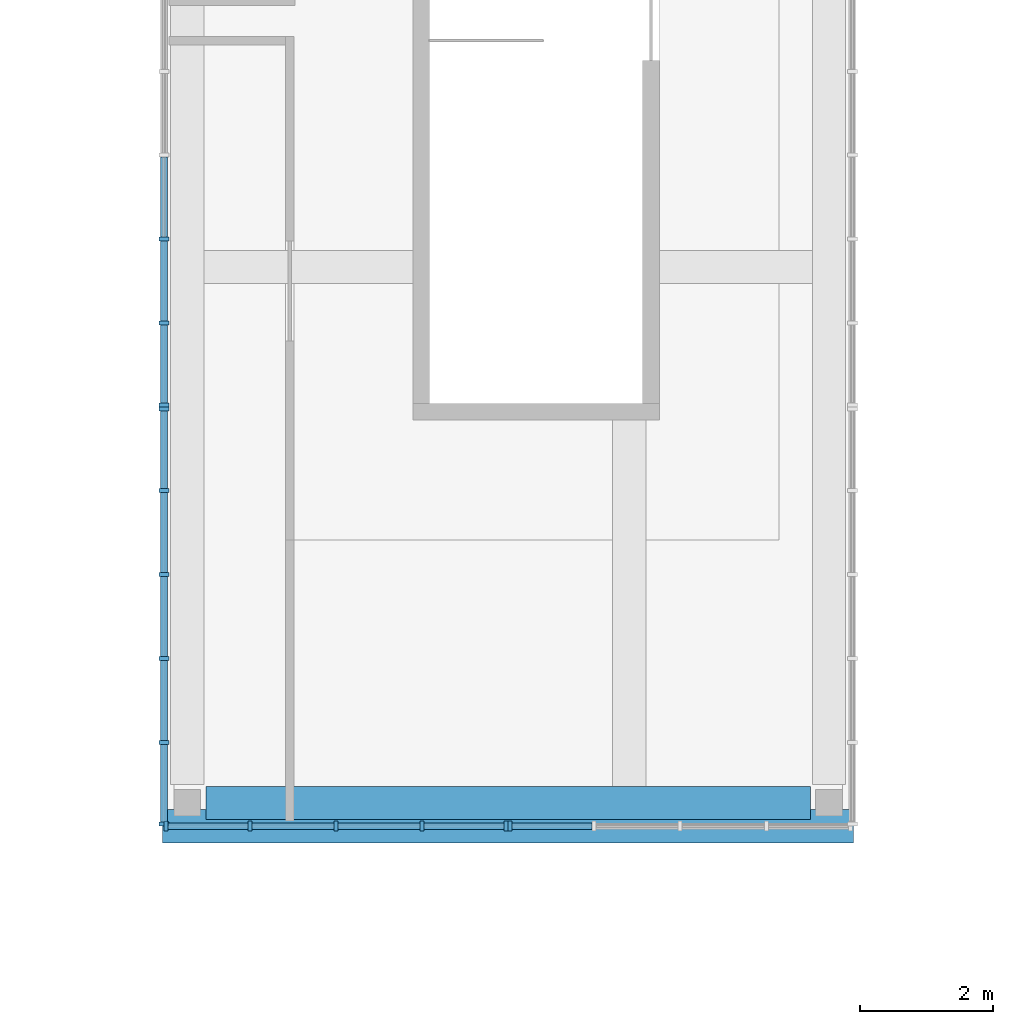
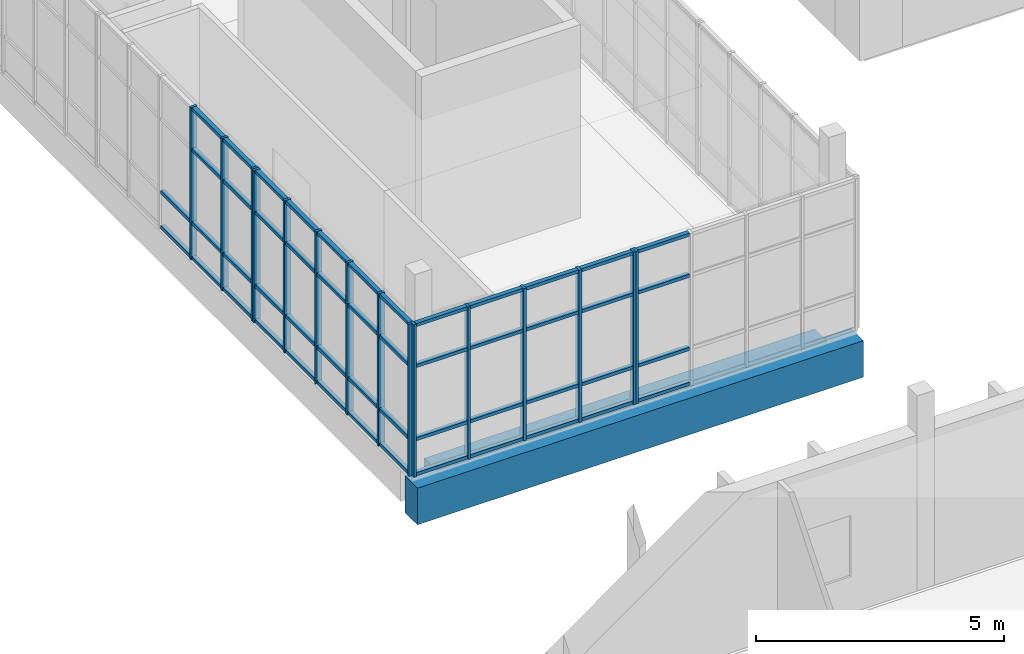
# One storey, part 4 of 103: 65 members, 2 beams, 4 elements without a shape of their own.
"""IFC4 building model written with IfcOpenShell, lengths in metres."""

from ifc_helpers import new_model, si_unit, direction, frame, origin, origin_2d, place, context, subcontext, project, spatial, rectangle, extrude, material, layer, layer_set, material_profile, profile_set, type_object, element, aggregate, save


model = new_model("IFC4")

# Units and contexts
model_context = context("Model", 3, precision=1e-05, world=origin(), true_north=direction((0.0, 1.0)))
body_context = subcontext(model_context, "Body", "Model", "MODEL_VIEW")
ifc_project = project(units=[si_unit("LENGTHUNIT", "METRE"), si_unit("AREAUNIT", "SQUARE_METRE"), si_unit("VOLUMEUNIT", "CUBIC_METRE"), si_unit("PLANEANGLEUNIT", "RADIAN"), si_unit("MASSUNIT", "GRAM", prefix="KILO")], contexts=[model_context])

# Site, building, storey
site_placement = place(None, origin())
site = spatial("IfcSite", under=ifc_project, at=site_placement, CompositionType="ELEMENT")
building_placement = place(site_placement, origin())
building = spatial("IfcBuilding", under=site, at=building_placement, Name="Larchfold Concert Hall", CompositionType="ELEMENT")
storey_placement = place(building_placement, frame((0.0, 0.0, 9.60009765625)))
storey = spatial("IfcBuildingStorey", under=building, at=storey_placement, Name="L02", CompositionType="ELEMENT", Elevation=9.60009765625)

# Curtain wall, members
ifc_material_1 = material(Name="Anodised graphite aluminium curtain wall", Category="aluminium")
ifc_layer = layer(ifc_material_1, 0.14990234375)
ifc_layer_set = layer_set([ifc_layer], Name="Anodised graphite aluminium curtain wall")
curtain_wall_type = type_object("IfcCurtainWallType", Name="Curtain wall WG", PredefinedType="NOTDEFINED", material=ifc_layer_set)
curtain_wall_1_placement = place(storey_placement, origin())
curtain_wall_1 = element("IfcCurtainWall", 1, at=curtain_wall_1_placement, inside=storey, type_object=curtain_wall_type, Name="Curtain wall CW0284", PredefinedType="NOTDEFINED")
ifc_material_2 = material(Name="Anodised graphite aluminium mullion", Category="aluminium")
ifc_material_profile_1 = material_profile(ifc_material_2, rectangle(XDim=0.14990234375, YDim=0.06005859375, at=origin_2d()))
ifc_profile_set_1 = profile_set([ifc_material_profile_1], Name="Anodised graphite aluminium mullion")
member_type_1 = type_object("IfcMemberType", Name="Aluminium mullion 60x150", PredefinedType="MULLION", material=ifc_profile_set_1)
member_1_placement = place(storey_placement, frame((10.408447265625, 43.02001953125, 0.0), z_axis=(0.0, 0.0, 1.0), x_axis=(1.0, 0.0, 0.0)))
member_1 = element("IfcMember", 2, at=member_1_placement, type_object=member_type_1, Name="CW0284 mullion 4", PredefinedType="MULLION", context=body_context, shape_type="SweptSolid", body=[
    extrude(rectangle(XDim=0.14990234375, YDim=0.06005859375, at=origin_2d()), origin(), (0.0, 0.0, 1.0), 3.75),
])
member_2_placement = place(storey_placement, frame((10.408447265625, 41.760009765625, 0.0), z_axis=(0.0, 0.0, 1.0), x_axis=(1.0, 0.0, 0.0)))
member_2 = element("IfcMember", 3, at=member_2_placement, type_object=member_type_1, Name="CW0284 mullion 5", PredefinedType="MULLION", context=body_context, shape_type="SweptSolid", body=[
    extrude(rectangle(XDim=0.14990234375, YDim=0.06005859375, at=origin_2d()), origin(), (0.0, 0.0, 1.0), 3.75),
])
member_3_placement = place(storey_placement, frame((10.408447265625, 40.530029296875, 0.0), z_axis=(0.0, 0.0, 1.0), x_axis=(1.0, 0.0, 0.0)))
member_3 = element("IfcMember", 4, at=member_3_placement, type_object=member_type_1, Name="CW0284 mullion 6", PredefinedType="MULLION", context=body_context, shape_type="SweptSolid", body=[
    extrude(rectangle(XDim=0.14990234375, YDim=0.06005859375, at=origin_2d()), origin(), (0.0, 0.0, 1.0), 3.75),
])

curtain_wall_2_placement = place(storey_placement, origin())
curtain_wall_2 = element("IfcCurtainWall", 5, at=curtain_wall_2_placement, inside=storey, type_object=curtain_wall_type, Name="Curtain wall CW0285", PredefinedType="NOTDEFINED")
member_4_placement = place(storey_placement, frame((10.408447265625, 40.469970703125, 0.0), z_axis=(0.0, 0.0, 1.0), x_axis=(1.0, 0.0, 0.0)))
member_4 = element("IfcMember", 6, at=member_4_placement, type_object=member_type_1, Name="CW0285 mullion 1", PredefinedType="MULLION", context=body_context, shape_type="SweptSolid", body=[
    extrude(rectangle(XDim=0.14990234375, YDim=0.06005859375, at=origin_2d()), origin(), (0.0, 0.0, 1.0), 3.75),
])
member_5_placement = place(storey_placement, frame((10.408447265625, 39.239990234375, 0.0), z_axis=(0.0, 0.0, 1.0), x_axis=(1.0, 0.0, 0.0)))
member_5 = element("IfcMember", 7, at=member_5_placement, type_object=member_type_1, Name="CW0285 mullion 2", PredefinedType="MULLION", context=body_context, shape_type="SweptSolid", body=[
    extrude(rectangle(XDim=0.14990234375, YDim=0.06005859375, at=origin_2d()), origin(), (0.0, 0.0, 1.0), 3.75),
])
member_6_placement = place(storey_placement, frame((10.408447265625, 37.97998046875, 0.0), z_axis=(0.0, 0.0, 1.0), x_axis=(1.0, 0.0, 0.0)))
member_6 = element("IfcMember", 8, at=member_6_placement, type_object=member_type_1, Name="CW0285 mullion 3", PredefinedType="MULLION", context=body_context, shape_type="SweptSolid", body=[
    extrude(rectangle(XDim=0.14990234375, YDim=0.06005859375, at=origin_2d()), origin(), (0.0, 0.0, 1.0), 3.75),
])
member_7_placement = place(storey_placement, frame((10.408447265625, 36.719970703125, 0.0), z_axis=(0.0, 0.0, 1.0), x_axis=(1.0, 0.0, 0.0)))
member_7 = element("IfcMember", 9, at=member_7_placement, type_object=member_type_1, Name="CW0285 mullion 4", PredefinedType="MULLION", context=body_context, shape_type="SweptSolid", body=[
    extrude(rectangle(XDim=0.14990234375, YDim=0.06005859375, at=origin_2d()), origin(), (0.0, 0.0, 1.0), 3.75),
])
member_8_placement = place(storey_placement, frame((10.408447265625, 35.4599609375, 0.0), z_axis=(0.0, 0.0, 1.0), x_axis=(1.0, 0.0, 0.0)))
member_8 = element("IfcMember", 10, at=member_8_placement, type_object=member_type_1, Name="CW0285 mullion 5", PredefinedType="MULLION", context=body_context, shape_type="SweptSolid", body=[
    extrude(rectangle(XDim=0.14990234375, YDim=0.06005859375, at=origin_2d()), origin(), (0.0, 0.0, 1.0), 3.75),
])
member_9_placement = place(storey_placement, frame((10.408447265625, 34.22998046875, 0.0), z_axis=(0.0, 0.0, 1.0), x_axis=(1.0, 0.0, 0.0)))
member_9 = element("IfcMember", 11, at=member_9_placement, type_object=member_type_1, Name="CW0285 mullion 6", PredefinedType="MULLION", context=body_context, shape_type="SweptSolid", body=[
    extrude(rectangle(XDim=0.14990234375, YDim=0.06005859375, at=origin_2d()), origin(), (0.0, 0.0, 1.0), 3.75),
])

curtain_wall_3_placement = place(storey_placement, origin())
curtain_wall_3 = element("IfcCurtainWall", 12, at=curtain_wall_3_placement, inside=storey, type_object=curtain_wall_type, Name="Curtain wall CW0286", PredefinedType="NOTDEFINED")
member_10_placement = place(storey_placement, frame((10.4384765625, 34.199951171875, 0.0), z_axis=(0.0, 0.0, 1.0), x_axis=(0.0, 1.0, 0.0)))
member_10 = element("IfcMember", 13, at=member_10_placement, type_object=member_type_1, Name="CW0286 mullion 1", PredefinedType="MULLION", context=body_context, shape_type="SweptSolid", body=[
    extrude(rectangle(XDim=0.14990234375, YDim=0.06005859375, at=origin_2d()), origin(), (0.0, 0.0, 1.0), 3.75),
])
member_11_placement = place(storey_placement, frame((11.700927734375, 34.199951171875, 0.0), z_axis=(0.0, 0.0, 1.0), x_axis=(0.0, 1.0, 0.0)))
member_11 = element("IfcMember", 14, at=member_11_placement, type_object=member_type_1, Name="CW0286 mullion 2", PredefinedType="MULLION", context=body_context, shape_type="SweptSolid", body=[
    extrude(rectangle(XDim=0.14990234375, YDim=0.06005859375, at=origin_2d()), origin(), (0.0, 0.0, 1.0), 3.75),
])
member_12_placement = place(storey_placement, frame((12.993408203125, 34.199951171875, 0.0), z_axis=(0.0, 0.0, 1.0), x_axis=(0.0, 1.0, 0.0)))
member_12 = element("IfcMember", 15, at=member_12_placement, type_object=member_type_1, Name="CW0286 mullion 3", PredefinedType="MULLION", context=body_context, shape_type="SweptSolid", body=[
    extrude(rectangle(XDim=0.14990234375, YDim=0.06005859375, at=origin_2d()), origin(), (0.0, 0.0, 1.0), 3.75),
])
member_13_placement = place(storey_placement, frame((14.2861328125, 34.199951171875, 0.0), z_axis=(0.0, 0.0, 1.0), x_axis=(0.0, 1.0, 0.0)))
member_13 = element("IfcMember", 16, at=member_13_placement, type_object=member_type_1, Name="CW0286 mullion 4", PredefinedType="MULLION", context=body_context, shape_type="SweptSolid", body=[
    extrude(rectangle(XDim=0.14990234375, YDim=0.06005859375, at=origin_2d()), origin(), (0.0, 0.0, 1.0), 3.75),
])
member_14_placement = place(storey_placement, frame((15.548583984375, 34.199951171875, 0.0), z_axis=(0.0, 0.0, 1.0), x_axis=(0.0, 1.0, 0.0)))
member_14 = element("IfcMember", 17, at=member_14_placement, type_object=member_type_1, Name="CW0286 mullion 5", PredefinedType="MULLION", context=body_context, shape_type="SweptSolid", body=[
    extrude(rectangle(XDim=0.14990234375, YDim=0.06005859375, at=origin_2d()), origin(), (0.0, 0.0, 1.0), 3.75),
])

# Curtain wall, member
curtain_wall_4_placement = place(storey_placement, origin())
curtain_wall_4 = element("IfcCurtainWall", 18, at=curtain_wall_4_placement, inside=storey, type_object=curtain_wall_type, Name="Curtain wall CW0287", PredefinedType="NOTDEFINED")
member_15_placement = place(storey_placement, frame((15.608642578125, 34.199951171875, 0.0), z_axis=(0.0, 0.0, 1.0), x_axis=(0.0, 1.0, 0.0)))
member_15 = element("IfcMember", 19, at=member_15_placement, type_object=member_type_1, Name="CW0287 mullion 1", PredefinedType="MULLION", context=body_context, shape_type="SweptSolid", body=[
    extrude(rectangle(XDim=0.14990234375, YDim=0.06005859375, at=origin_2d()), origin(), (0.0, 0.0, 1.0), 3.75),
])

# Member
ifc_material_3 = material(Name="Anodised graphite aluminium transom", Category="aluminium")
ifc_material_profile_2 = material_profile(ifc_material_3, rectangle(XDim=0.10009765625, YDim=0.080078125, at=origin_2d()))
ifc_profile_set_2 = profile_set([ifc_material_profile_2], Name="Anodised graphite aluminium transom")
member_type_2 = type_object("IfcMemberType", Name="Aluminium transom 80x100", PredefinedType="USERDEFINED", material=ifc_profile_set_2)
member_16_placement = place(storey_placement, frame((10.408447265625, 44.25, 0.0400390625), z_axis=(0.0, -1.0, 0.0), x_axis=(1.0, 0.0, 0.0)))
member_16 = element("IfcMember", 20, at=member_16_placement, type_object=member_type_2, Name="CW0284 transom 3.1", ObjectType="TRANSOM", PredefinedType="USERDEFINED", context=body_context, shape_type="SweptSolid", body=[
    extrude(rectangle(XDim=0.10009765625, YDim=0.080078125, at=origin_2d()), origin(), (0.0, 0.0, 1.0), 1.2001953125),
])

member_17_placement = place(storey_placement, frame((10.408447265625, 44.25, 0.89990234375), z_axis=(0.0, -1.0, 0.0), x_axis=(1.0, 0.0, 0.0)))
member_17 = element("IfcMember", 21, at=member_17_placement, type_object=member_type_2, Name="CW0284 transom 3.2", ObjectType="TRANSOM", PredefinedType="USERDEFINED", context=body_context, shape_type="SweptSolid", body=[
    extrude(rectangle(XDim=0.10009765625, YDim=0.080078125, at=origin_2d()), origin(), (0.0, 0.0, 1.0), 1.2001953125),
])

member_18_placement = place(storey_placement, frame((10.408447265625, 42.989990234375, 0.0400390625), z_axis=(0.0, -1.0, 0.0), x_axis=(1.0, 0.0, 0.0)))
member_18 = element("IfcMember", 22, at=member_18_placement, type_object=member_type_2, Name="CW0284 transom 4.1", ObjectType="TRANSOM", PredefinedType="USERDEFINED", context=body_context, shape_type="SweptSolid", body=[
    extrude(rectangle(XDim=0.10009765625, YDim=0.080078125, at=origin_2d()), origin(), (0.0, 0.0, 1.0), 1.199951171875),
])

member_19_placement = place(storey_placement, frame((10.408447265625, 42.989990234375, 0.89990234375), z_axis=(0.0, -1.0, 0.0), x_axis=(1.0, 0.0, 0.0)))
member_19 = element("IfcMember", 23, at=member_19_placement, type_object=member_type_2, Name="CW0284 transom 4.2", ObjectType="TRANSOM", PredefinedType="USERDEFINED", context=body_context, shape_type="SweptSolid", body=[
    extrude(rectangle(XDim=0.10009765625, YDim=0.080078125, at=origin_2d()), origin(), (0.0, 0.0, 1.0), 1.199951171875),
])

member_20_placement = place(storey_placement, frame((10.408447265625, 42.989990234375, 2.699951171875), z_axis=(0.0, -1.0, 0.0), x_axis=(1.0, 0.0, 0.0)))
member_20 = element("IfcMember", 24, at=member_20_placement, type_object=member_type_2, Name="CW0284 transom 4.3", ObjectType="TRANSOM", PredefinedType="USERDEFINED", context=body_context, shape_type="SweptSolid", body=[
    extrude(rectangle(XDim=0.10009765625, YDim=0.080078125, at=origin_2d()), origin(), (0.0, 0.0, 1.0), 1.199951171875),
])

member_21_placement = place(storey_placement, frame((10.408447265625, 42.989990234375, 3.7099609375), z_axis=(0.0, -1.0, 0.0), x_axis=(1.0, 0.0, 0.0)))
member_21 = element("IfcMember", 25, at=member_21_placement, type_object=member_type_2, Name="CW0284 transom 4.4", ObjectType="TRANSOM", PredefinedType="USERDEFINED", context=body_context, shape_type="SweptSolid", body=[
    extrude(rectangle(XDim=0.10009765625, YDim=0.080078125, at=origin_2d()), origin(), (0.0, 0.0, 1.0), 1.199951171875),
])

member_22_placement = place(storey_placement, frame((10.408447265625, 41.72998046875, 0.0400390625), z_axis=(0.0, -1.0, 0.0), x_axis=(1.0, 0.0, 0.0)))
member_22 = element("IfcMember", 26, at=member_22_placement, type_object=member_type_2, Name="CW0284 transom 5.1", ObjectType="TRANSOM", PredefinedType="USERDEFINED", context=body_context, shape_type="SweptSolid", body=[
    extrude(rectangle(XDim=0.10009765625, YDim=0.080078125, at=origin_2d()), origin(), (0.0, 0.0, 1.0), 1.169921875),
])

member_23_placement = place(storey_placement, frame((10.408447265625, 41.72998046875, 0.89990234375), z_axis=(0.0, -1.0, 0.0), x_axis=(1.0, 0.0, 0.0)))
member_23 = element("IfcMember", 27, at=member_23_placement, type_object=member_type_2, Name="CW0284 transom 5.2", ObjectType="TRANSOM", PredefinedType="USERDEFINED", context=body_context, shape_type="SweptSolid", body=[
    extrude(rectangle(XDim=0.10009765625, YDim=0.080078125, at=origin_2d()), origin(), (0.0, 0.0, 1.0), 1.169921875),
])

member_24_placement = place(storey_placement, frame((10.408447265625, 41.72998046875, 2.699951171875), z_axis=(0.0, -1.0, 0.0), x_axis=(1.0, 0.0, 0.0)))
member_24 = element("IfcMember", 28, at=member_24_placement, type_object=member_type_2, Name="CW0284 transom 5.3", ObjectType="TRANSOM", PredefinedType="USERDEFINED", context=body_context, shape_type="SweptSolid", body=[
    extrude(rectangle(XDim=0.10009765625, YDim=0.080078125, at=origin_2d()), origin(), (0.0, 0.0, 1.0), 1.169921875),
])

member_25_placement = place(storey_placement, frame((10.408447265625, 41.72998046875, 3.7099609375), z_axis=(0.0, -1.0, 0.0), x_axis=(1.0, 0.0, 0.0)))
member_25 = element("IfcMember", 29, at=member_25_placement, type_object=member_type_2, Name="CW0284 transom 5.4", ObjectType="TRANSOM", PredefinedType="USERDEFINED", context=body_context, shape_type="SweptSolid", body=[
    extrude(rectangle(XDim=0.10009765625, YDim=0.080078125, at=origin_2d()), origin(), (0.0, 0.0, 1.0), 1.169921875),
])

aggregate(curtain_wall_1, [member_1, member_2, member_3, member_16, member_17, member_18, member_19, member_20, member_21, member_22, member_23, member_24, member_25])

member_26_placement = place(storey_placement, frame((10.408447265625, 40.43994140625, 0.0400390625), z_axis=(0.0, -1.0, 0.0), x_axis=(1.0, 0.0, 0.0)))
member_26 = element("IfcMember", 30, at=member_26_placement, type_object=member_type_2, Name="CW0285 transom 1.1", ObjectType="TRANSOM", PredefinedType="USERDEFINED", context=body_context, shape_type="SweptSolid", body=[
    extrude(rectangle(XDim=0.10009765625, YDim=0.080078125, at=origin_2d()), origin(), (0.0, 0.0, 1.0), 1.169921875),
])

member_27_placement = place(storey_placement, frame((10.408447265625, 40.43994140625, 0.89990234375), z_axis=(0.0, -1.0, 0.0), x_axis=(1.0, 0.0, 0.0)))
member_27 = element("IfcMember", 31, at=member_27_placement, type_object=member_type_2, Name="CW0285 transom 1.2", ObjectType="TRANSOM", PredefinedType="USERDEFINED", context=body_context, shape_type="SweptSolid", body=[
    extrude(rectangle(XDim=0.10009765625, YDim=0.080078125, at=origin_2d()), origin(), (0.0, 0.0, 1.0), 1.169921875),
])

member_28_placement = place(storey_placement, frame((10.408447265625, 40.43994140625, 2.699951171875), z_axis=(0.0, -1.0, 0.0), x_axis=(1.0, 0.0, 0.0)))
member_28 = element("IfcMember", 32, at=member_28_placement, type_object=member_type_2, Name="CW0285 transom 1.3", ObjectType="TRANSOM", PredefinedType="USERDEFINED", context=body_context, shape_type="SweptSolid", body=[
    extrude(rectangle(XDim=0.10009765625, YDim=0.080078125, at=origin_2d()), origin(), (0.0, 0.0, 1.0), 1.169921875),
])

member_29_placement = place(storey_placement, frame((10.408447265625, 40.43994140625, 3.7099609375), z_axis=(0.0, -1.0, 0.0), x_axis=(1.0, 0.0, 0.0)))
member_29 = element("IfcMember", 33, at=member_29_placement, type_object=member_type_2, Name="CW0285 transom 1.4", ObjectType="TRANSOM", PredefinedType="USERDEFINED", context=body_context, shape_type="SweptSolid", body=[
    extrude(rectangle(XDim=0.10009765625, YDim=0.080078125, at=origin_2d()), origin(), (0.0, 0.0, 1.0), 1.169921875),
])

member_30_placement = place(storey_placement, frame((10.408447265625, 39.2099609375, 0.0400390625), z_axis=(0.0, -1.0, 0.0), x_axis=(1.0, 0.0, 0.0)))
member_30 = element("IfcMember", 34, at=member_30_placement, type_object=member_type_2, Name="CW0285 transom 2.1", ObjectType="TRANSOM", PredefinedType="USERDEFINED", context=body_context, shape_type="SweptSolid", body=[
    extrude(rectangle(XDim=0.10009765625, YDim=0.080078125, at=origin_2d()), origin(), (0.0, 0.0, 1.0), 1.199951171875),
])

member_31_placement = place(storey_placement, frame((10.408447265625, 39.2099609375, 0.89990234375), z_axis=(0.0, -1.0, 0.0), x_axis=(1.0, 0.0, 0.0)))
member_31 = element("IfcMember", 35, at=member_31_placement, type_object=member_type_2, Name="CW0285 transom 2.2", ObjectType="TRANSOM", PredefinedType="USERDEFINED", context=body_context, shape_type="SweptSolid", body=[
    extrude(rectangle(XDim=0.10009765625, YDim=0.080078125, at=origin_2d()), origin(), (0.0, 0.0, 1.0), 1.199951171875),
])

member_32_placement = place(storey_placement, frame((10.408447265625, 39.2099609375, 2.699951171875), z_axis=(0.0, -1.0, 0.0), x_axis=(1.0, 0.0, 0.0)))
member_32 = element("IfcMember", 36, at=member_32_placement, type_object=member_type_2, Name="CW0285 transom 2.3", ObjectType="TRANSOM", PredefinedType="USERDEFINED", context=body_context, shape_type="SweptSolid", body=[
    extrude(rectangle(XDim=0.10009765625, YDim=0.080078125, at=origin_2d()), origin(), (0.0, 0.0, 1.0), 1.199951171875),
])

member_33_placement = place(storey_placement, frame((10.408447265625, 39.2099609375, 3.7099609375), z_axis=(0.0, -1.0, 0.0), x_axis=(1.0, 0.0, 0.0)))
member_33 = element("IfcMember", 37, at=member_33_placement, type_object=member_type_2, Name="CW0285 transom 2.4", ObjectType="TRANSOM", PredefinedType="USERDEFINED", context=body_context, shape_type="SweptSolid", body=[
    extrude(rectangle(XDim=0.10009765625, YDim=0.080078125, at=origin_2d()), origin(), (0.0, 0.0, 1.0), 1.199951171875),
])

member_34_placement = place(storey_placement, frame((10.408447265625, 37.949951171875, 0.0400390625), z_axis=(0.0, -1.0, 0.0), x_axis=(1.0, 0.0, 0.0)))
member_34 = element("IfcMember", 38, at=member_34_placement, type_object=member_type_2, Name="CW0285 transom 3.1", ObjectType="TRANSOM", PredefinedType="USERDEFINED", context=body_context, shape_type="SweptSolid", body=[
    extrude(rectangle(XDim=0.10009765625, YDim=0.080078125, at=origin_2d()), origin(), (0.0, 0.0, 1.0), 1.199951171875),
])

member_35_placement = place(storey_placement, frame((10.408447265625, 37.949951171875, 0.89990234375), z_axis=(0.0, -1.0, 0.0), x_axis=(1.0, 0.0, 0.0)))
member_35 = element("IfcMember", 39, at=member_35_placement, type_object=member_type_2, Name="CW0285 transom 3.2", ObjectType="TRANSOM", PredefinedType="USERDEFINED", context=body_context, shape_type="SweptSolid", body=[
    extrude(rectangle(XDim=0.10009765625, YDim=0.080078125, at=origin_2d()), origin(), (0.0, 0.0, 1.0), 1.199951171875),
])

member_36_placement = place(storey_placement, frame((10.408447265625, 37.949951171875, 2.699951171875), z_axis=(0.0, -1.0, 0.0), x_axis=(1.0, 0.0, 0.0)))
member_36 = element("IfcMember", 40, at=member_36_placement, type_object=member_type_2, Name="CW0285 transom 3.3", ObjectType="TRANSOM", PredefinedType="USERDEFINED", context=body_context, shape_type="SweptSolid", body=[
    extrude(rectangle(XDim=0.10009765625, YDim=0.080078125, at=origin_2d()), origin(), (0.0, 0.0, 1.0), 1.199951171875),
])

member_37_placement = place(storey_placement, frame((10.408447265625, 37.949951171875, 3.7099609375), z_axis=(0.0, -1.0, 0.0), x_axis=(1.0, 0.0, 0.0)))
member_37 = element("IfcMember", 41, at=member_37_placement, type_object=member_type_2, Name="CW0285 transom 3.4", ObjectType="TRANSOM", PredefinedType="USERDEFINED", context=body_context, shape_type="SweptSolid", body=[
    extrude(rectangle(XDim=0.10009765625, YDim=0.080078125, at=origin_2d()), origin(), (0.0, 0.0, 1.0), 1.199951171875),
])

member_38_placement = place(storey_placement, frame((10.408447265625, 36.68994140625, 0.0400390625), z_axis=(0.0, -1.0, 0.0), x_axis=(1.0, 0.0, 0.0)))
member_38 = element("IfcMember", 42, at=member_38_placement, type_object=member_type_2, Name="CW0285 transom 4.1", ObjectType="TRANSOM", PredefinedType="USERDEFINED", context=body_context, shape_type="SweptSolid", body=[
    extrude(rectangle(XDim=0.10009765625, YDim=0.080078125, at=origin_2d()), origin(), (0.0, 0.0, 1.0), 1.199951171875),
])

member_39_placement = place(storey_placement, frame((10.408447265625, 36.68994140625, 0.89990234375), z_axis=(0.0, -1.0, 0.0), x_axis=(1.0, 0.0, 0.0)))
member_39 = element("IfcMember", 43, at=member_39_placement, type_object=member_type_2, Name="CW0285 transom 4.2", ObjectType="TRANSOM", PredefinedType="USERDEFINED", context=body_context, shape_type="SweptSolid", body=[
    extrude(rectangle(XDim=0.10009765625, YDim=0.080078125, at=origin_2d()), origin(), (0.0, 0.0, 1.0), 1.199951171875),
])

member_40_placement = place(storey_placement, frame((10.408447265625, 36.68994140625, 2.699951171875), z_axis=(0.0, -1.0, 0.0), x_axis=(1.0, 0.0, 0.0)))
member_40 = element("IfcMember", 44, at=member_40_placement, type_object=member_type_2, Name="CW0285 transom 4.3", ObjectType="TRANSOM", PredefinedType="USERDEFINED", context=body_context, shape_type="SweptSolid", body=[
    extrude(rectangle(XDim=0.10009765625, YDim=0.080078125, at=origin_2d()), origin(), (0.0, 0.0, 1.0), 1.199951171875),
])

member_41_placement = place(storey_placement, frame((10.408447265625, 36.68994140625, 3.7099609375), z_axis=(0.0, -1.0, 0.0), x_axis=(1.0, 0.0, 0.0)))
member_41 = element("IfcMember", 45, at=member_41_placement, type_object=member_type_2, Name="CW0285 transom 4.4", ObjectType="TRANSOM", PredefinedType="USERDEFINED", context=body_context, shape_type="SweptSolid", body=[
    extrude(rectangle(XDim=0.10009765625, YDim=0.080078125, at=origin_2d()), origin(), (0.0, 0.0, 1.0), 1.199951171875),
])

member_42_placement = place(storey_placement, frame((10.408447265625, 35.429931640625, 0.0400390625), z_axis=(0.0, -1.0, 0.0), x_axis=(1.0, 0.0, 0.0)))
member_42 = element("IfcMember", 46, at=member_42_placement, type_object=member_type_2, Name="CW0285 transom 5.1", ObjectType="TRANSOM", PredefinedType="USERDEFINED", context=body_context, shape_type="SweptSolid", body=[
    extrude(rectangle(XDim=0.10009765625, YDim=0.080078125, at=origin_2d()), origin(), (0.0, 0.0, 1.0), 1.169921875),
])

member_43_placement = place(storey_placement, frame((10.408447265625, 35.429931640625, 0.89990234375), z_axis=(0.0, -1.0, 0.0), x_axis=(1.0, 0.0, 0.0)))
member_43 = element("IfcMember", 47, at=member_43_placement, type_object=member_type_2, Name="CW0285 transom 5.2", ObjectType="TRANSOM", PredefinedType="USERDEFINED", context=body_context, shape_type="SweptSolid", body=[
    extrude(rectangle(XDim=0.10009765625, YDim=0.080078125, at=origin_2d()), origin(), (0.0, 0.0, 1.0), 1.169921875),
])

member_44_placement = place(storey_placement, frame((10.408447265625, 35.429931640625, 2.699951171875), z_axis=(0.0, -1.0, 0.0), x_axis=(1.0, 0.0, 0.0)))
member_44 = element("IfcMember", 48, at=member_44_placement, type_object=member_type_2, Name="CW0285 transom 5.3", ObjectType="TRANSOM", PredefinedType="USERDEFINED", context=body_context, shape_type="SweptSolid", body=[
    extrude(rectangle(XDim=0.10009765625, YDim=0.080078125, at=origin_2d()), origin(), (0.0, 0.0, 1.0), 1.169921875),
])

member_45_placement = place(storey_placement, frame((10.408447265625, 35.429931640625, 3.7099609375), z_axis=(0.0, -1.0, 0.0), x_axis=(1.0, 0.0, 0.0)))
member_45 = element("IfcMember", 49, at=member_45_placement, type_object=member_type_2, Name="CW0285 transom 5.4", ObjectType="TRANSOM", PredefinedType="USERDEFINED", context=body_context, shape_type="SweptSolid", body=[
    extrude(rectangle(XDim=0.10009765625, YDim=0.080078125, at=origin_2d()), origin(), (0.0, 0.0, 1.0), 1.169921875),
])

aggregate(curtain_wall_2, [member_4, member_5, member_6, member_7, member_8, member_9, member_26, member_27, member_28, member_29, member_30, member_31, member_32, member_33, member_34, member_35, member_36, member_37, member_38, member_39, member_40, member_41, member_42, member_43, member_44, member_45])

member_46_placement = place(storey_placement, frame((10.468505859375, 34.199951171875, 0.0400390625), z_axis=(1.0, 0.0, 0.0), x_axis=(0.0, 1.0, 0.0)))
member_46 = element("IfcMember", 50, at=member_46_placement, type_object=member_type_2, Name="CW0286 transom 1.1", ObjectType="TRANSOM", PredefinedType="USERDEFINED", context=body_context, shape_type="SweptSolid", body=[
    extrude(rectangle(XDim=0.10009765625, YDim=0.080078125, at=origin_2d()), origin(), (0.0, 0.0, 1.0), 1.202392578125),
])

member_47_placement = place(storey_placement, frame((10.468505859375, 34.199951171875, 0.89990234375), z_axis=(1.0, 0.0, 0.0), x_axis=(0.0, 1.0, 0.0)))
member_47 = element("IfcMember", 51, at=member_47_placement, type_object=member_type_2, Name="CW0286 transom 1.2", ObjectType="TRANSOM", PredefinedType="USERDEFINED", context=body_context, shape_type="SweptSolid", body=[
    extrude(rectangle(XDim=0.10009765625, YDim=0.080078125, at=origin_2d()), origin(), (0.0, 0.0, 1.0), 1.202392578125),
])

member_48_placement = place(storey_placement, frame((10.468505859375, 34.199951171875, 2.699951171875), z_axis=(1.0, 0.0, 0.0), x_axis=(0.0, 1.0, 0.0)))
member_48 = element("IfcMember", 52, at=member_48_placement, type_object=member_type_2, Name="CW0286 transom 1.3", ObjectType="TRANSOM", PredefinedType="USERDEFINED", context=body_context, shape_type="SweptSolid", body=[
    extrude(rectangle(XDim=0.10009765625, YDim=0.080078125, at=origin_2d()), origin(), (0.0, 0.0, 1.0), 1.202392578125),
])

member_49_placement = place(storey_placement, frame((10.468505859375, 34.199951171875, 3.7099609375), z_axis=(1.0, 0.0, 0.0), x_axis=(0.0, 1.0, 0.0)))
member_49 = element("IfcMember", 53, at=member_49_placement, type_object=member_type_2, Name="CW0286 transom 1.4", ObjectType="TRANSOM", PredefinedType="USERDEFINED", context=body_context, shape_type="SweptSolid", body=[
    extrude(rectangle(XDim=0.10009765625, YDim=0.080078125, at=origin_2d()), origin(), (0.0, 0.0, 1.0), 1.202392578125),
])

member_50_placement = place(storey_placement, frame((11.73095703125, 34.199951171875, 0.0400390625), z_axis=(1.0, 0.0, 0.0), x_axis=(0.0, 1.0, 0.0)))
member_50 = element("IfcMember", 54, at=member_50_placement, type_object=member_type_2, Name="CW0286 transom 2.1", ObjectType="TRANSOM", PredefinedType="USERDEFINED", context=body_context, shape_type="SweptSolid", body=[
    extrude(rectangle(XDim=0.10009765625, YDim=0.080078125, at=origin_2d()), origin(), (0.0, 0.0, 1.0), 1.232666015625),
])

member_51_placement = place(storey_placement, frame((11.73095703125, 34.199951171875, 0.89990234375), z_axis=(1.0, 0.0, 0.0), x_axis=(0.0, 1.0, 0.0)))
member_51 = element("IfcMember", 55, at=member_51_placement, type_object=member_type_2, Name="CW0286 transom 2.2", ObjectType="TRANSOM", PredefinedType="USERDEFINED", context=body_context, shape_type="SweptSolid", body=[
    extrude(rectangle(XDim=0.10009765625, YDim=0.080078125, at=origin_2d()), origin(), (0.0, 0.0, 1.0), 1.232666015625),
])

member_52_placement = place(storey_placement, frame((11.73095703125, 34.199951171875, 2.699951171875), z_axis=(1.0, 0.0, 0.0), x_axis=(0.0, 1.0, 0.0)))
member_52 = element("IfcMember", 56, at=member_52_placement, type_object=member_type_2, Name="CW0286 transom 2.3", ObjectType="TRANSOM", PredefinedType="USERDEFINED", context=body_context, shape_type="SweptSolid", body=[
    extrude(rectangle(XDim=0.10009765625, YDim=0.080078125, at=origin_2d()), origin(), (0.0, 0.0, 1.0), 1.232666015625),
])

member_53_placement = place(storey_placement, frame((11.73095703125, 34.199951171875, 3.7099609375), z_axis=(1.0, 0.0, 0.0), x_axis=(0.0, 1.0, 0.0)))
member_53 = element("IfcMember", 57, at=member_53_placement, type_object=member_type_2, Name="CW0286 transom 2.4", ObjectType="TRANSOM", PredefinedType="USERDEFINED", context=body_context, shape_type="SweptSolid", body=[
    extrude(rectangle(XDim=0.10009765625, YDim=0.080078125, at=origin_2d()), origin(), (0.0, 0.0, 1.0), 1.232666015625),
])

member_54_placement = place(storey_placement, frame((13.0234375, 34.199951171875, 0.0400390625), z_axis=(1.0, 0.0, 0.0), x_axis=(0.0, 1.0, 0.0)))
member_54 = element("IfcMember", 58, at=member_54_placement, type_object=member_type_2, Name="CW0286 transom 3.1", ObjectType="TRANSOM", PredefinedType="USERDEFINED", context=body_context, shape_type="SweptSolid", body=[
    extrude(rectangle(XDim=0.10009765625, YDim=0.080078125, at=origin_2d()), origin(), (0.0, 0.0, 1.0), 1.232666015625),
])

member_55_placement = place(storey_placement, frame((13.0234375, 34.199951171875, 0.89990234375), z_axis=(1.0, 0.0, 0.0), x_axis=(0.0, 1.0, 0.0)))
member_55 = element("IfcMember", 59, at=member_55_placement, type_object=member_type_2, Name="CW0286 transom 3.2", ObjectType="TRANSOM", PredefinedType="USERDEFINED", context=body_context, shape_type="SweptSolid", body=[
    extrude(rectangle(XDim=0.10009765625, YDim=0.080078125, at=origin_2d()), origin(), (0.0, 0.0, 1.0), 1.232666015625),
])

member_56_placement = place(storey_placement, frame((13.0234375, 34.199951171875, 2.699951171875), z_axis=(1.0, 0.0, 0.0), x_axis=(0.0, 1.0, 0.0)))
member_56 = element("IfcMember", 60, at=member_56_placement, type_object=member_type_2, Name="CW0286 transom 3.3", ObjectType="TRANSOM", PredefinedType="USERDEFINED", context=body_context, shape_type="SweptSolid", body=[
    extrude(rectangle(XDim=0.10009765625, YDim=0.080078125, at=origin_2d()), origin(), (0.0, 0.0, 1.0), 1.232666015625),
])

member_57_placement = place(storey_placement, frame((13.0234375, 34.199951171875, 3.7099609375), z_axis=(1.0, 0.0, 0.0), x_axis=(0.0, 1.0, 0.0)))
member_57 = element("IfcMember", 61, at=member_57_placement, type_object=member_type_2, Name="CW0286 transom 3.4", ObjectType="TRANSOM", PredefinedType="USERDEFINED", context=body_context, shape_type="SweptSolid", body=[
    extrude(rectangle(XDim=0.10009765625, YDim=0.080078125, at=origin_2d()), origin(), (0.0, 0.0, 1.0), 1.232666015625),
])

member_58_placement = place(storey_placement, frame((14.316162109375, 34.199951171875, 0.0400390625), z_axis=(1.0, 0.0, 0.0), x_axis=(0.0, 1.0, 0.0)))
member_58 = element("IfcMember", 62, at=member_58_placement, type_object=member_type_2, Name="CW0286 transom 4.1", ObjectType="TRANSOM", PredefinedType="USERDEFINED", context=body_context, shape_type="SweptSolid", body=[
    extrude(rectangle(XDim=0.10009765625, YDim=0.080078125, at=origin_2d()), origin(), (0.0, 0.0, 1.0), 1.202392578125),
])

member_59_placement = place(storey_placement, frame((14.316162109375, 34.199951171875, 0.89990234375), z_axis=(1.0, 0.0, 0.0), x_axis=(0.0, 1.0, 0.0)))
member_59 = element("IfcMember", 63, at=member_59_placement, type_object=member_type_2, Name="CW0286 transom 4.2", ObjectType="TRANSOM", PredefinedType="USERDEFINED", context=body_context, shape_type="SweptSolid", body=[
    extrude(rectangle(XDim=0.10009765625, YDim=0.080078125, at=origin_2d()), origin(), (0.0, 0.0, 1.0), 1.202392578125),
])

member_60_placement = place(storey_placement, frame((14.316162109375, 34.199951171875, 2.699951171875), z_axis=(1.0, 0.0, 0.0), x_axis=(0.0, 1.0, 0.0)))
member_60 = element("IfcMember", 64, at=member_60_placement, type_object=member_type_2, Name="CW0286 transom 4.3", ObjectType="TRANSOM", PredefinedType="USERDEFINED", context=body_context, shape_type="SweptSolid", body=[
    extrude(rectangle(XDim=0.10009765625, YDim=0.080078125, at=origin_2d()), origin(), (0.0, 0.0, 1.0), 1.202392578125),
])

member_61_placement = place(storey_placement, frame((14.316162109375, 34.199951171875, 3.7099609375), z_axis=(1.0, 0.0, 0.0), x_axis=(0.0, 1.0, 0.0)))
member_61 = element("IfcMember", 65, at=member_61_placement, type_object=member_type_2, Name="CW0286 transom 4.4", ObjectType="TRANSOM", PredefinedType="USERDEFINED", context=body_context, shape_type="SweptSolid", body=[
    extrude(rectangle(XDim=0.10009765625, YDim=0.080078125, at=origin_2d()), origin(), (0.0, 0.0, 1.0), 1.202392578125),
])

aggregate(curtain_wall_3, [member_10, member_11, member_12, member_13, member_14, member_46, member_47, member_48, member_49, member_50, member_51, member_52, member_53, member_54, member_55, member_56, member_57, member_58, member_59, member_60, member_61])

member_62_placement = place(storey_placement, frame((15.638671875, 34.199951171875, 0.0400390625), z_axis=(1.0, 0.0, 0.0), x_axis=(0.0, 1.0, 0.0)))
member_62 = element("IfcMember", 66, at=member_62_placement, type_object=member_type_2, Name="CW0287 transom 1.1", ObjectType="TRANSOM", PredefinedType="USERDEFINED", context=body_context, shape_type="SweptSolid", body=[
    extrude(rectangle(XDim=0.10009765625, YDim=0.080078125, at=origin_2d()), origin(), (0.0, 0.0, 1.0), 1.202392578125),
])

member_63_placement = place(storey_placement, frame((15.638671875, 34.199951171875, 0.89990234375), z_axis=(1.0, 0.0, 0.0), x_axis=(0.0, 1.0, 0.0)))
member_63 = element("IfcMember", 67, at=member_63_placement, type_object=member_type_2, Name="CW0287 transom 1.2", ObjectType="TRANSOM", PredefinedType="USERDEFINED", context=body_context, shape_type="SweptSolid", body=[
    extrude(rectangle(XDim=0.10009765625, YDim=0.080078125, at=origin_2d()), origin(), (0.0, 0.0, 1.0), 1.202392578125),
])

member_64_placement = place(storey_placement, frame((15.638671875, 34.199951171875, 2.699951171875), z_axis=(1.0, 0.0, 0.0), x_axis=(0.0, 1.0, 0.0)))
member_64 = element("IfcMember", 68, at=member_64_placement, type_object=member_type_2, Name="CW0287 transom 1.3", ObjectType="TRANSOM", PredefinedType="USERDEFINED", context=body_context, shape_type="SweptSolid", body=[
    extrude(rectangle(XDim=0.10009765625, YDim=0.080078125, at=origin_2d()), origin(), (0.0, 0.0, 1.0), 1.202392578125),
])

member_65_placement = place(storey_placement, frame((15.638671875, 34.199951171875, 3.7099609375), z_axis=(1.0, 0.0, 0.0), x_axis=(0.0, 1.0, 0.0)))
member_65 = element("IfcMember", 69, at=member_65_placement, type_object=member_type_2, Name="CW0287 transom 1.4", ObjectType="TRANSOM", PredefinedType="USERDEFINED", context=body_context, shape_type="SweptSolid", body=[
    extrude(rectangle(XDim=0.10009765625, YDim=0.080078125, at=origin_2d()), origin(), (0.0, 0.0, 1.0), 1.202392578125),
])

aggregate(curtain_wall_4, [member_15, member_62, member_63, member_64, member_65])

# Beams
ifc_material_4 = material(Name="Concrete C35/45", Category="concrete")
ifc_material_profile_3 = material_profile(ifc_material_4, rectangle(XDim=0.5, YDim=0.89990234375, at=origin_2d()))
ifc_profile_set_3 = profile_set([ifc_material_profile_3], Name="Concrete C35/45")
beam_type = type_object("IfcBeamType", Name="Beam RC 500x900", PredefinedType="BEAM", material=ifc_profile_set_3)
beam_1_placement = place(storey_placement, frame((20.118896484375, 34.550048828125, -0.60009765625), z_axis=(-1.0, 0.0, 0.0), x_axis=(0.0, -1.0, 0.0)))
element("IfcBeam", 70, at=beam_1_placement, inside=storey, type_object=beam_type, Name="Beam B1937", PredefinedType="BEAM", context=body_context, shape_type="SweptSolid", body=[
    extrude(rectangle(XDim=0.5, YDim=0.89990234375, at=origin_2d()), origin(), (0.0, 0.0, 1.0), 9.080810546875),
])
beam_2_placement = place(storey_placement, frame((10.388427734375, 34.199951171875, -0.60009765625), z_axis=(1.0, 0.0, 0.0), x_axis=(0.0, 1.0, 0.0)))
element("IfcBeam", 71, at=beam_2_placement, inside=storey, type_object=beam_type, Name="Beam B1982", PredefinedType="BEAM", context=body_context, shape_type="SweptSolid", body=[
    extrude(rectangle(XDim=0.5, YDim=0.89990234375, at=origin_2d()), origin(), (0.0, 0.0, 1.0), 10.38037109375),
])

save(model, "model.ifc")
